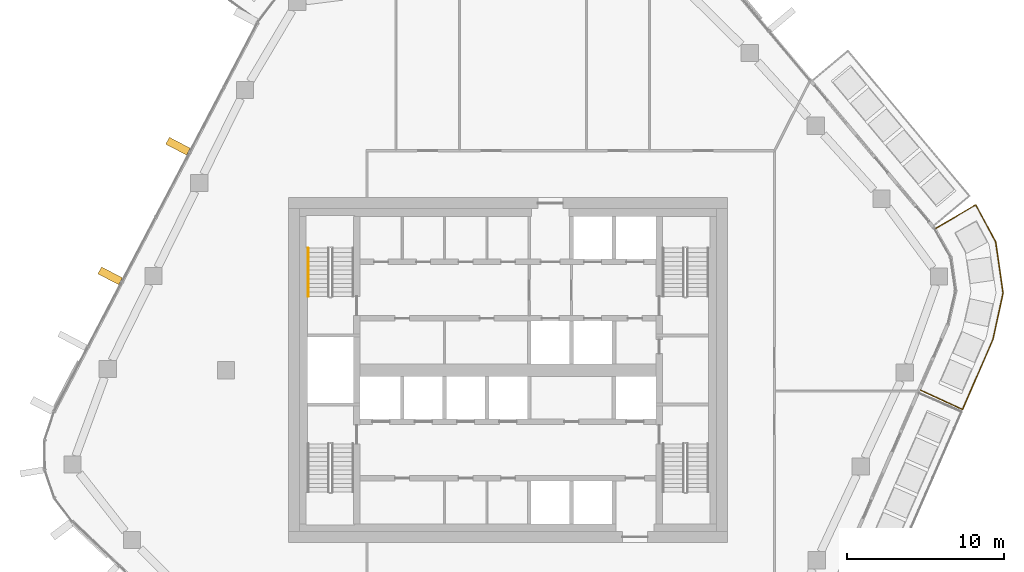
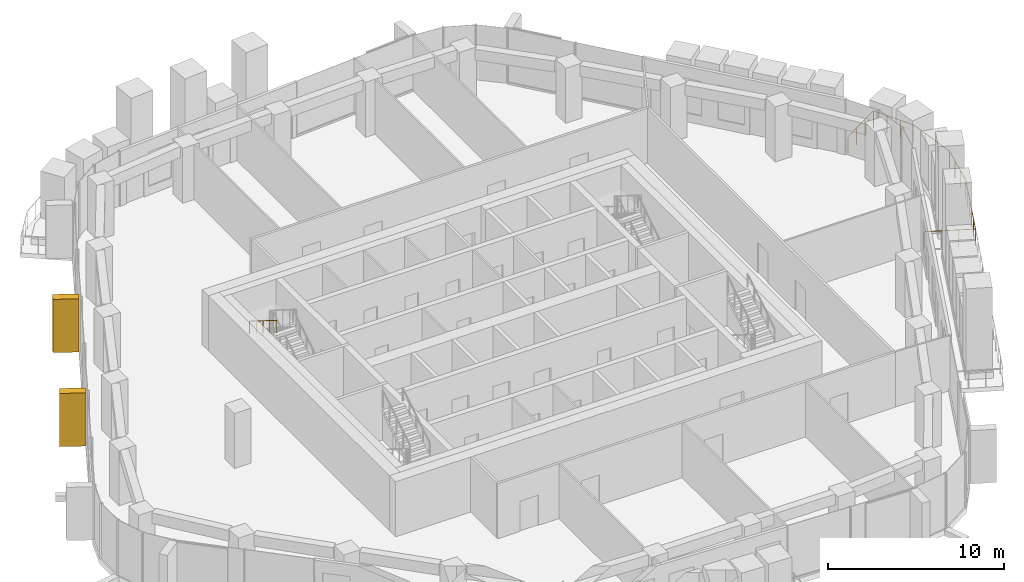
# One storey, part 18 of 20: 2 coverings, 2 railings, 1 element without a shape of its own.
"""IFC4 building model written with IfcOpenShell, lengths in metres."""

from ifc_helpers import new_model, si_unit, direction, frame, origin, origin_2d, place, context, subcontext, project, spatial, rectangle, circle, extrude, material, layer, layer_set, material_profile, profile_set, type_object, element, aggregate, save


model = new_model("IFC4")

# Units and contexts
model_context = context("Model", 3, precision=1e-05, world=origin(), true_north=direction((0.0, 1.0)))
body_context = subcontext(model_context, "Body", "Model", "MODEL_VIEW")
ifc_project = project(units=[si_unit("LENGTHUNIT", "METRE"), si_unit("AREAUNIT", "SQUARE_METRE"), si_unit("VOLUMEUNIT", "CUBIC_METRE"), si_unit("PLANEANGLEUNIT", "RADIAN"), si_unit("MASSUNIT", "GRAM", prefix="KILO")], contexts=[model_context])

# Site, building, storey
site_placement = place(None, origin())
site = spatial("IfcSite", under=ifc_project, at=site_placement, CompositionType="ELEMENT")
building_placement = place(site_placement, origin())
building = spatial("IfcBuilding", under=site, at=building_placement, Name="Dongbaek Canopy Tower", CompositionType="ELEMENT")
storey_placement = place(building_placement, frame((0.0, 0.0, 249.60009765625)))
storey = spatial("IfcBuildingStorey", under=building, at=storey_placement, Name="L52", CompositionType="ELEMENT", Elevation=249.60009765625)

# Railing
ifc_material_1 = material(Name="Stainless steel", Category="steel")
railing_type_1 = type_object("IfcRailingType", Name="Balcony balustrade 1200", PredefinedType="BALUSTRADE", material=ifc_material_1)
railing_1_placement = place(storey_placement, frame((26.322509765625, -1.27978515625, 0.0)))
element("IfcRailing", 1, at=railing_1_placement, inside=storey, type_object=railing_type_1, Name="Balcony guard L52 6", PredefinedType="BALUSTRADE", context=body_context, shape_type="SweptSolid", body=[
    extrude(circle(Radius=0.02392578125, at=origin_2d()), frame((0.0, 0.0, 1.17578125), z_axis=(0.908017693991, -0.418931817124, 0.0), x_axis=(0.418931817124, 0.908017693991, 0.0)), (0.0, 0.0, 1.0), 2.940673828125),
    extrude(circle(Radius=0.02392578125, at=origin_2d()), frame((2.670166015625, -1.23193359375, 1.17578125), z_axis=(0.397921664893, 0.917419396246, 0.0), x_axis=(-0.917419396246, 0.397921664893, 0.0)), (0.0, 0.0, 1.0), 4.8837890625),
    extrude(circle(Radius=0.02392578125, at=origin_2d()), frame((4.613525390625, 3.24853515625, 1.17578125), z_axis=(0.212886308317, 0.977076977383, 0.0), x_axis=(-0.977076977383, 0.212886308317, 0.0)), (0.0, 0.0, 1.0), 3.018310546875),
    extrude(circle(Radius=0.02392578125, at=origin_2d()), frame((5.256103515625, 6.19775390625, 1.17578125), z_axis=(-0.142440196603, 0.989803409972, 0.0), x_axis=(-0.989803409972, -0.142440196603, 0.0)), (0.0, 0.0, 1.0), 3.287353515625),
    extrude(circle(Radius=0.02392578125, at=origin_2d()), frame((4.787841796875, 9.45166015625, 1.17578125), z_axis=(-0.474234767146, 0.880398424368, 0.0), x_axis=(-0.880398424368, -0.474234767146, 0.0)), (0.0, 0.0, 1.0), 2.697021484375),
    extrude(circle(Radius=0.02392578125, at=origin_2d()), frame((3.5087890625, 11.826171875, 1.17578125), z_axis=(-0.861256903686, -0.508169800218, 0.0), x_axis=(0.508169800218, -0.861256903686, 0.0)), (0.0, 0.0, 1.0), 2.940673828125),
    extrude(circle(Radius=0.02099609375, at=origin_2d()), origin(), (0.0, 0.0, 1.0), 1.15185546875),
    extrude(circle(Radius=0.02099609375, at=origin_2d()), frame((0.89013671875, -0.41064453125, 0.0)), (0.0, 0.0, 1.0), 1.15185546875),
    extrude(circle(Radius=0.02099609375, at=origin_2d()), frame((1.780029296875, -0.8212890625, 0.0)), (0.0, 0.0, 1.0), 1.15185546875),
    extrude(circle(Radius=0.02099609375, at=origin_2d()), frame((2.670166015625, -1.23193359375, 0.0)), (0.0, 0.0, 1.0), 1.15185546875),
    extrude(circle(Radius=0.02099609375, at=origin_2d()), frame((3.058837890625, -0.3359375, 0.0)), (0.0, 0.0, 1.0), 1.15185546875),
    extrude(circle(Radius=0.02099609375, at=origin_2d()), frame((3.447509765625, 0.560302734375, 0.0)), (0.0, 0.0, 1.0), 1.15185546875),
    extrude(circle(Radius=0.02099609375, at=origin_2d()), frame((3.836181640625, 1.456298828125, 0.0)), (0.0, 0.0, 1.0), 1.15185546875),
    extrude(circle(Radius=0.02099609375, at=origin_2d()), frame((4.224853515625, 2.3525390625, 0.0)), (0.0, 0.0, 1.0), 1.15185546875),
    extrude(circle(Radius=0.02099609375, at=origin_2d()), frame((4.613525390625, 3.24853515625, 0.0)), (0.0, 0.0, 1.0), 1.15185546875),
    extrude(circle(Radius=0.02099609375, at=origin_2d()), frame((4.82763671875, 4.231689453125, 0.0)), (0.0, 0.0, 1.0), 1.15185546875),
    extrude(circle(Radius=0.02099609375, at=origin_2d()), frame((5.0419921875, 5.214599609375, 0.0)), (0.0, 0.0, 1.0), 1.15185546875),
    extrude(circle(Radius=0.02099609375, at=origin_2d()), frame((5.256103515625, 6.19775390625, 0.0)), (0.0, 0.0, 1.0), 1.15185546875),
    extrude(circle(Radius=0.02099609375, at=origin_2d()), frame((5.10009765625, 7.282470703125, 0.0)), (0.0, 0.0, 1.0), 1.15185546875),
    extrude(circle(Radius=0.02099609375, at=origin_2d()), frame((4.94384765625, 8.366943359375, 0.0)), (0.0, 0.0, 1.0), 1.15185546875),
    extrude(circle(Radius=0.02099609375, at=origin_2d()), frame((4.787841796875, 9.45166015625, 0.0)), (0.0, 0.0, 1.0), 1.15185546875),
    extrude(circle(Radius=0.02099609375, at=origin_2d()), frame((4.361572265625, 10.2431640625, 0.0)), (0.0, 0.0, 1.0), 1.15185546875),
    extrude(circle(Radius=0.02099609375, at=origin_2d()), frame((3.93505859375, 11.03466796875, 0.0)), (0.0, 0.0, 1.0), 1.15185546875),
    extrude(circle(Radius=0.02099609375, at=origin_2d()), frame((3.5087890625, 11.826171875, 0.0)), (0.0, 0.0, 1.0), 1.15185546875),
    extrude(circle(Radius=0.02099609375, at=origin_2d()), frame((2.66455078125, 11.328125, 0.0)), (0.0, 0.0, 1.0), 1.15185546875),
    extrude(circle(Radius=0.02099609375, at=origin_2d()), frame((1.8203125, 10.829833984375, 0.0)), (0.0, 0.0, 1.0), 1.15185546875),
    extrude(circle(Radius=0.02099609375, at=origin_2d()), frame((0.97607421875, 10.331787109375, 0.0)), (0.0, 0.0, 1.0), 1.15185546875),
])

# Curtain wall, coverings
ifc_material_2 = material(Name="Aluminium 6063-T6 pale anodised", Category="aluminium")
ifc_layer = layer(ifc_material_2, 0.199951171875)
ifc_layer_set = layer_set([ifc_layer], Name="CW-1 unitised tower curtain wall")
curtain_wall_type = type_object("IfcCurtainWallType", Name="CW-1 unitised tower curtain wall", PredefinedType="NOTDEFINED", material=ifc_layer_set)
curtain_wall_placement = place(storey_placement, origin())
curtain_wall = element("IfcCurtainWall", 2, at=curtain_wall_placement, inside=storey, type_object=curtain_wall_type, Name="CW-1 curtain wall F2.1", PredefinedType="NOTDEFINED")
ifc_material_3 = material(Name="Aluminium 6063-T6 pale metal fin", Category="aluminium")
ifc_material_profile = material_profile(ifc_material_3, rectangle(XDim=1.5, YDim=0.5, at=origin_2d()), Name="Fin FN1 500 x 1500 pale metal")
ifc_profile_set = profile_set([ifc_material_profile], Name="Aluminium 6063-T6 pale metal fin")
covering_type = type_object("IfcCoveringType", Name="Fin FN1 500 x 1500 pale metal", PredefinedType="CLADDING", material=ifc_profile_set)
covering_1_placement = place(storey_placement, frame((-21.059326171875, 14.28857421875, 0.119873046875), z_axis=(0.0, 0.0, 1.0), x_axis=(-0.886019109709, 0.463648721803, 0.0)))
covering_1 = element("IfcCovering", 3, at=covering_1_placement, type_object=covering_type, Name="Fin F2.1.3", PredefinedType="CLADDING", context=body_context, shape_type="SweptSolid", body=[
    extrude(rectangle(XDim=1.5, YDim=0.5, at=origin_2d()), origin(), (0.0, 0.0, 1.0), 3.699951171875),
])
covering_2_placement = place(storey_placement, frame((-25.3876953125, 6.017578125, 0.119873046875), z_axis=(0.0, 0.0, 1.0), x_axis=(-0.886019109709, 0.463648721803, 0.0)))
covering_2 = element("IfcCovering", 4, at=covering_2_placement, type_object=covering_type, Name="Fin F2.1.5", PredefinedType="CLADDING", context=body_context, shape_type="SweptSolid", body=[
    extrude(rectangle(XDim=1.5, YDim=0.5, at=origin_2d()), origin(), (0.0, 0.0, 1.0), 3.699951171875),
])
aggregate(curtain_wall, [covering_1, covering_2])

# Railing
ifc_material_4 = material(Name="Stainless steel tube", Category="steel")
railing_type_2 = type_object("IfcRailingType", Name="Stair handrail 900", PredefinedType="HANDRAIL", material=ifc_material_4)
railing_2_placement = place(storey_placement, frame((-12.75, 7.780029296875, 2.27490234375)))
element("IfcRailing", 5, at=railing_2_placement, inside=storey, type_object=railing_type_2, Name="L52 ST-C stair handrail 2", PredefinedType="HANDRAIL", context=body_context, shape_type="SweptSolid", body=[
    extrude(circle(Radius=0.02392578125, at=origin_2d()), frame((0.0, 0.0, 0.8759765625), z_axis=(0.0, -0.847998304005, 0.529998940003), x_axis=(1.0, 0.0, 0.0)), (0.0, 0.0, 1.0), 3.632080078125),
    extrude(circle(Radius=0.02099609375, at=origin_2d()), origin(), (0.0, 0.0, 1.0), 0.851806640625),
    extrude(circle(Radius=0.02099609375, at=origin_2d()), frame((0.0, -0.77001953125, 0.481201171875)), (0.0, 0.0, 1.0), 0.851806640625),
    extrude(circle(Radius=0.02099609375, at=origin_2d()), frame((0.0, -1.5400390625, 0.96240234375)), (0.0, 0.0, 1.0), 0.851806640625),
    extrude(circle(Radius=0.02099609375, at=origin_2d()), frame((0.0, -2.31005859375, 1.44384765625)), (0.0, 0.0, 1.0), 0.851806640625),
    extrude(circle(Radius=0.02099609375, at=origin_2d()), frame((0.0, -3.080078125, 1.925048828125)), (0.0, 0.0, 1.0), 0.851806640625),
])

save(model, "model.ifc")
